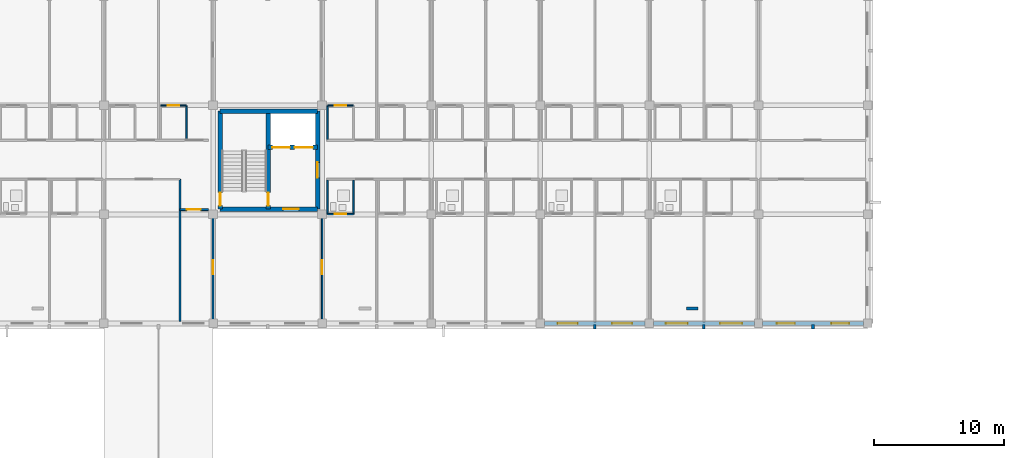
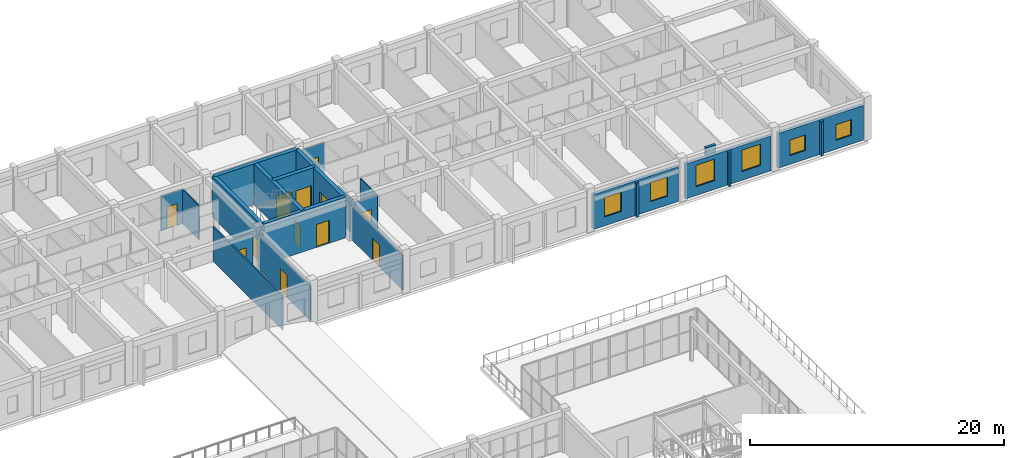
# One storey, part 73 of 90: 24 walls, 12 doors, 6 windows, 18 openings.
"""IFC4 building model written with IfcOpenShell, lengths in metres."""

from ifc_helpers import new_model, si_unit, direction, frame, frame_2d, origin, place, context, subcontext, project, spatial, rectangle, extrude, material, layer, layer_set, type_object, element, fill, save


model = new_model("IFC4")

# Units and contexts
model_context = context("Model", 3, precision=1e-05, world=origin(), true_north=direction((0.0, 1.0)))
body_context = subcontext(model_context, "Body", "Model", "MODEL_VIEW")
ifc_project = project(units=[si_unit("LENGTHUNIT", "METRE"), si_unit("AREAUNIT", "SQUARE_METRE"), si_unit("VOLUMEUNIT", "CUBIC_METRE"), si_unit("PLANEANGLEUNIT", "RADIAN"), si_unit("MASSUNIT", "GRAM", prefix="KILO")], contexts=[model_context])

# Site, building, storey
site_placement = place(None, origin())
site = spatial("IfcSite", under=ifc_project, at=site_placement, CompositionType="ELEMENT")
building_placement = place(site_placement, origin())
building = spatial("IfcBuilding", under=site, at=building_placement, Name="Trelvath General Hospital", CompositionType="ELEMENT")
storey_placement = place(building_placement, frame((0.0, 0.0, 20.39990234375)))
storey = spatial("IfcBuildingStorey", under=building, at=storey_placement, Name="L05", CompositionType="ELEMENT", Elevation=20.39990234375)

# Walls
ifc_material_1 = material(Name="Precast concrete C40/50", Category="concrete")
ifc_layer_1 = layer(ifc_material_1, 0.199951171875)
ifc_layer_set_1 = layer_set([ifc_layer_1], Name="Precast concrete C40/50")
wall_type_1 = type_object("IfcWallType", Name="BriseSoleilRib 200", PredefinedType="ELEMENTEDWALL", material=ifc_layer_set_1)
for number, where, z_axis, x_axis, name in (
    (1, (113.39990234375, 92.324951171875, 0.0), (0.0, 0.0, 1.0), (0.0, -1.0, 0.0), "Precast Concrete Brise-Soleil Rib Fin L05-401"),
    (2, (121.800048828125, 92.324951171875, 0.0), (0.0, 0.0, 1.0), (0.0, -1.0, 0.0), "Precast Concrete Brise-Soleil Rib Fin L05-403"),
    (3, (130.199951171875, 92.324951171875, 0.0), (0.0, 0.0, 1.0), (0.0, -1.0, 0.0), "Precast Concrete Brise-Soleil Rib Fin L05-405"),
):
    element("IfcWall", number, at=place(storey_placement, frame(where, z_axis=z_axis, x_axis=x_axis)), inside=storey, type_object=wall_type_1, Name=name, PredefinedType="ELEMENTEDWALL", context=body_context, shape_type="SweptSolid", body=[
        extrude(rectangle(XDim=0.33984375, YDim=0.199951171875, at=frame_2d((0.169921875, 0.0))), origin(), (0.0, 0.0, 1.0), 3.320068359375),
    ])

# Wall, opening, door
ifc_material_2 = material(Name="Gypsum acoustic steel-stud partition", Category="steel")
ifc_layer_2 = layer(ifc_material_2, 0.14990234375)
ifc_layer_set_2 = layer_set([ifc_layer_2], Name="Gypsum acoustic steel-stud partition")
wall_type_2 = type_object("IfcWallType", Name="ClinicalPartition 150", PredefinedType="PARTITIONING", material=ifc_layer_set_2)
wall_1_placement = place(storey_placement, frame((81.4599609375, 101.159912109375, 0.0), z_axis=(0.0, 0.0, 1.0), x_axis=(1.0, 0.0, 0.0)))
wall_1 = element("IfcWall", 4, at=wall_1_placement, inside=storey, type_object=wall_type_2, Name="Clean Utility Partition L05-1937", PredefinedType="PARTITIONING", context=body_context, shape_type="SweptSolid", body=[
    extrude(rectangle(XDim=2.179931640625, YDim=0.14990234375, at=frame_2d((1.08984375, 0.0))), origin(), (0.0, 0.0, 1.0), 3.320068359375),
])
opening_1_placement = place(wall_1_placement, frame((0.5, 0.0, 0.0)))
opening_1 = element("IfcOpeningElement", 5, at=opening_1_placement, cuts=wall_1, Name="Opening D-5-1259", PredefinedType="OPENING", context=body_context, shape_type="SweptSolid", body=[
    extrude(rectangle(XDim=1.080078125, YDim=2.14990234375, at=frame_2d((0.5400390625, 1.074951171875))), frame((0.0, 0.0849609375, 0.0), z_axis=(0.0, -1.0, 0.0), x_axis=(1.0, 0.0, 0.0)), (0.0, 0.0, 1.0), 0.169921875),
])
ifc_material_3 = material(Name="Acoustic hospital timber leaf", Category="wood")
door_type_1 = type_object("IfcDoorType", Name="Door CleanSupply 1080x2150", OperationType="NOTDEFINED", PredefinedType="DOOR", material=ifc_material_3)
door_1_placement = place(opening_1_placement, origin())
door_1 = element("IfcDoor", 6, at=door_1_placement, inside=storey, type_object=door_type_1, Name="Clean Utility Door L05-1259", OperationType="SINGLE_SWING_RIGHT", OverallHeight=2.14990234375, OverallWidth=1.080078125, PredefinedType="DOOR", context=body_context, shape_type="SweptSolid", body=[
    extrude(rectangle(XDim=1.080078125, YDim=2.14990234375, at=frame_2d((0.5400390625, 1.074951171875))), frame((0.0, 0.02490234375, 0.0), z_axis=(0.0, -1.0, 0.0), x_axis=(1.0, 0.0, 0.0)), (0.0, 0.0, 1.0), 0.050048828125),
])
fill(opening_1, door_1)

ifc_material_4 = material(Name="Concrete C40/50", Category="concrete")
ifc_layer_3 = layer(ifc_material_4, 0.35009765625)
ifc_layer_set_3 = layer_set([ifc_layer_3], Name="Concrete C40/50")
wall_type_3 = type_object("IfcWallType", Name="CoreShearWall 350", PredefinedType="SHEAR", material=ifc_layer_set_3)
wall_2_placement = place(storey_placement, frame((84.550048828125, 101.199951171875, 0.0), z_axis=(0.0, 0.0, 1.0), x_axis=(1.0, 0.0, 0.0)))
wall_2 = element("IfcWall", 7, at=wall_2_placement, inside=storey, type_object=wall_type_3, Name="Core Shear Wall C2 S L05", PredefinedType="SHEAR", context=body_context, shape_type="SweptSolid", body=[
    extrude(rectangle(XDim=7.5, YDim=0.35009765625, at=frame_2d((3.75, 0.0))), origin(), (0.0, 0.0, 1.0), 3.920166015625),
])
opening_2_placement = place(wall_2_placement, frame((4.85009765625, 0.0, 0.0)))
opening_2 = element("IfcOpeningElement", 8, at=opening_2_placement, cuts=wall_2, Name="Opening FD-LS25", PredefinedType="OPENING", context=body_context, shape_type="SweptSolid", body=[
    extrude(rectangle(XDim=1.199951171875, YDim=2.199951171875, at=frame_2d((0.60009765625, 1.10009765625))), frame((0.0, 0.18505859375, 0.0), z_axis=(0.0, -1.0, 0.0), x_axis=(1.0, 0.0, 0.0)), (0.0, 0.0, 1.0), 0.3701171875),
])
ifc_material_5 = material(Name="Fire-rated steel door", Category="steel")
door_type_2 = type_object("IfcDoorType", Name="Door FireLobby 1200x2200", OperationType="NOTDEFINED", PredefinedType="DOOR", material=ifc_material_5)
door_2_placement = place(opening_2_placement, origin())
door_2 = element("IfcDoor", 9, at=door_2_placement, inside=storey, type_object=door_type_2, Name="Fire Lobby South Door C2 L05", OperationType="SINGLE_SWING_RIGHT", OverallHeight=2.199951171875, OverallWidth=1.199951171875, PredefinedType="DOOR", context=body_context, shape_type="SweptSolid", body=[
    extrude(rectangle(XDim=1.199951171875, YDim=2.199951171875, at=frame_2d((0.60009765625, 1.10009765625))), frame((0.0, 0.02490234375, 0.0), z_axis=(0.0, -1.0, 0.0), x_axis=(1.0, 0.0, 0.0)), (0.0, 0.0, 1.0), 0.050048828125),
])
fill(opening_2, door_2)

# Wall
wall_3_placement = place(storey_placement, frame((84.550048828125, 108.75, 0.0), z_axis=(0.0, 0.0, 1.0), x_axis=(1.0, 0.0, 0.0)))
element("IfcWall", 10, at=wall_3_placement, inside=storey, type_object=wall_type_3, Name="Core Shear Wall C2 N L05", PredefinedType="SHEAR", context=body_context, shape_type="SweptSolid", body=[
    extrude(rectangle(XDim=7.5, YDim=0.35009765625, at=frame_2d((3.75, 0.0))), origin(), (0.0, 0.0, 1.0), 3.920166015625),
])

# Wall, opening, door
wall_4_placement = place(storey_placement, frame((84.550048828125, 101.199951171875, 0.0), z_axis=(0.0, 0.0, 1.0), x_axis=(0.0, 1.0, 0.0)))
wall_4 = element("IfcWall", 11, at=wall_4_placement, inside=storey, type_object=wall_type_3, Name="Core Shear Wall C2 W L05", PredefinedType="SHEAR", context=body_context, shape_type="SweptSolid", body=[
    extrude(rectangle(XDim=7.550048828125, YDim=0.35009765625, at=frame_2d((3.77490234375, 0.0))), origin(), (0.0, 0.0, 1.0), 3.920166015625),
])
opening_3_placement = place(wall_4_placement, frame((0.280029296875, 0.0, 0.0)))
opening_3 = element("IfcOpeningElement", 12, at=opening_3_placement, cuts=wall_4, Name="Opening FD-SW25", PredefinedType="OPENING", context=body_context, shape_type="SweptSolid", body=[
    extrude(rectangle(XDim=1.0, YDim=2.14990234375, at=frame_2d((0.5, 1.074951171875))), frame((0.0, 0.18505859375, 0.0), z_axis=(0.0, -1.0, 0.0), x_axis=(1.0, 0.0, 0.0)), (0.0, 0.0, 1.0), 0.3701171875),
])
ifc_material_6 = material(Name="Fire-rated steel door", Category="steel")
door_type_3 = type_object("IfcDoorType", Name="Door FireStair 1100x2150", OperationType="NOTDEFINED", PredefinedType="DOOR", material=ifc_material_6)
door_3_placement = place(opening_3_placement, origin())
door_3 = element("IfcDoor", 13, at=door_3_placement, inside=storey, type_object=door_type_3, Name="West Corridor Stair Door ST2 L05", OperationType="SINGLE_SWING_LEFT", OverallHeight=2.14990234375, OverallWidth=1.0, PredefinedType="DOOR", context=body_context, shape_type="SweptSolid", body=[
    extrude(rectangle(XDim=1.0, YDim=2.14990234375, at=frame_2d((0.5, 1.074951171875))), frame((0.0, 0.02490234375, 0.0), z_axis=(0.0, -1.0, 0.0), x_axis=(1.0, 0.0, 0.0)), (0.0, 0.0, 1.0), 0.050048828125),
])
fill(opening_3, door_3)

wall_5_placement = place(storey_placement, frame((92.050048828125, 101.199951171875, 0.0), z_axis=(0.0, 0.0, 1.0), x_axis=(0.0, 1.0, 0.0)))
wall_5 = element("IfcWall", 14, at=wall_5_placement, inside=storey, type_object=wall_type_3, Name="Core Shear Wall C2 E L05", PredefinedType="SHEAR", context=body_context, shape_type="SweptSolid", body=[
    extrude(rectangle(XDim=7.550048828125, YDim=0.35009765625, at=frame_2d((3.77490234375, 0.0))), origin(), (0.0, 0.0, 1.0), 3.920166015625),
])
opening_4_placement = place(wall_5_placement, frame((2.39990234375, 0.0, 0.0)))
opening_4 = element("IfcOpeningElement", 15, at=opening_4_placement, cuts=wall_5, Name="Opening FD-LE25", PredefinedType="OPENING", context=body_context, shape_type="SweptSolid", body=[
    extrude(rectangle(XDim=1.199951171875, YDim=2.199951171875, at=frame_2d((0.60009765625, 1.10009765625))), frame((0.0, 0.18505859375, 0.0), z_axis=(0.0, -1.0, 0.0), x_axis=(1.0, 0.0, 0.0)), (0.0, 0.0, 1.0), 0.3701171875),
])
door_4_placement = place(opening_4_placement, origin())
door_4 = element("IfcDoor", 16, at=door_4_placement, inside=storey, type_object=door_type_2, Name="Fire Lobby East Corridor Door C2 L05", OperationType="SINGLE_SWING_LEFT", OverallHeight=2.199951171875, OverallWidth=1.199951171875, PredefinedType="DOOR", context=body_context, shape_type="SweptSolid", body=[
    extrude(rectangle(XDim=1.199951171875, YDim=2.199951171875, at=frame_2d((0.60009765625, 1.10009765625))), frame((0.0, 0.02490234375, 0.0), z_axis=(0.0, -1.0, 0.0), x_axis=(1.0, 0.0, 0.0)), (0.0, 0.0, 1.0), 0.050048828125),
])
fill(opening_4, door_4)

wall_6_placement = place(storey_placement, frame((88.25, 101.199951171875, 0.0), z_axis=(0.0, 0.0, 1.0), x_axis=(0.0, 1.0, 0.0)))
wall_6 = element("IfcWall", 17, at=wall_6_placement, inside=storey, type_object=wall_type_3, Name="Core Shear Wall C2 SPINE L05", PredefinedType="SHEAR", context=body_context, shape_type="SweptSolid", body=[
    extrude(rectangle(XDim=7.550048828125, YDim=0.35009765625, at=frame_2d((3.77490234375, 0.0))), origin(), (0.0, 0.0, 1.0), 3.920166015625),
])
opening_5_placement = place(wall_6_placement, frame((0.280029296875, 0.0, 0.0)))
opening_5 = element("IfcOpeningElement", 18, at=opening_5_placement, cuts=wall_6, Name="Opening FD-S25", PredefinedType="OPENING", context=body_context, shape_type="SweptSolid", body=[
    extrude(rectangle(XDim=1.0, YDim=2.14990234375, at=frame_2d((0.5, 1.074951171875))), frame((0.0, 0.18505859375, 0.0), z_axis=(0.0, -1.0, 0.0), x_axis=(1.0, 0.0, 0.0)), (0.0, 0.0, 1.0), 0.3701171875),
])
door_5_placement = place(opening_5_placement, origin())
door_5 = element("IfcDoor", 19, at=door_5_placement, inside=storey, type_object=door_type_3, Name="Exit Stair Door ST2 L05", OperationType="SINGLE_SWING_RIGHT", OverallHeight=2.14990234375, OverallWidth=1.0, PredefinedType="DOOR", context=body_context, shape_type="SweptSolid", body=[
    extrude(rectangle(XDim=1.0, YDim=2.14990234375, at=frame_2d((0.5, 1.074951171875))), frame((0.0, 0.02490234375, 0.0), z_axis=(0.0, -1.0, 0.0), x_axis=(1.0, 0.0, 0.0)), (0.0, 0.0, 1.0), 0.050048828125),
])
fill(opening_5, door_5)

# Wall, openings, doors
wall_7_placement = place(storey_placement, frame((88.25, 105.949951171875, 0.0), z_axis=(0.0, 0.0, 1.0), x_axis=(1.0, 0.0, 0.0)))
wall_7 = element("IfcWall", 20, at=wall_7_placement, inside=storey, type_object=wall_type_3, Name="Core Shear Wall C2 SHAFT L05", PredefinedType="SHEAR", context=body_context, shape_type="SweptSolid", body=[
    extrude(rectangle(XDim=3.800048828125, YDim=0.35009765625, at=frame_2d((1.89990234375, 0.0))), origin(), (0.0, 0.0, 1.0), 3.920166015625),
])
opening_6_placement = place(wall_7_placement, frame((0.320068359375, 0.0, 0.0)))
opening_6 = element("IfcOpeningElement", 21, at=opening_6_placement, cuts=wall_7, Name="Opening LD-FF2-5", PredefinedType="OPENING", context=body_context, shape_type="SweptSolid", body=[
    extrude(rectangle(XDim=1.35009765625, YDim=2.25, at=frame_2d((0.675048828125, 1.125))), frame((0.0, 0.18505859375, 0.0), z_axis=(0.0, -1.0, 0.0), x_axis=(1.0, 0.0, 0.0)), (0.0, 0.0, 1.0), 0.3701171875),
])
opening_7_placement = place(wall_7_placement, frame((2.0400390625, 0.0, 0.0)))
opening_7 = element("IfcOpeningElement", 22, at=opening_7_placement, cuts=wall_7, Name="Opening LD-BD2-5", PredefinedType="OPENING", context=body_context, shape_type="SweptSolid", body=[
    extrude(rectangle(XDim=1.39990234375, YDim=2.25, at=frame_2d((0.699951171875, 1.125))), frame((0.0, 0.18505859375, 0.0), z_axis=(0.0, -1.0, 0.0), x_axis=(1.0, 0.0, 0.0)), (0.0, 0.0, 1.0), 0.3701171875),
])
ifc_material_7 = material(Name="Stainless steel stretcher lift landing door", Category="steel")
door_type_4 = type_object("IfcDoorType", Name="Door LiftBed 1400x2250", OperationType="SLIDING_TO_LEFT", PredefinedType="DOOR", material=ifc_material_7)
door_6_placement = place(opening_7_placement, origin())
door_6 = element("IfcDoor", 23, at=door_6_placement, inside=storey, type_object=door_type_4, Name="Lift Landing Sliding Door LF-BD2 L05", OperationType="SLIDING_TO_LEFT", OverallHeight=2.25, OverallWidth=1.39990234375, PredefinedType="DOOR", context=body_context, shape_type="SweptSolid", body=[
    extrude(rectangle(XDim=1.39990234375, YDim=2.25, at=frame_2d((0.699951171875, 1.125))), frame((0.0, 0.02490234375, 0.0), z_axis=(0.0, -1.0, 0.0), x_axis=(1.0, 0.0, 0.0)), (0.0, 0.0, 1.0), 0.050048828125),
])
fill(opening_7, door_6)
ifc_material_8 = material(Name="Fire-rated stainless lift landing door")
door_type_5 = type_object("IfcDoorType", Name="Door LiftFire 1350x2250", OperationType="SLIDING_TO_LEFT", PredefinedType="DOOR", material=ifc_material_8)
door_7_placement = place(opening_6_placement, origin())
door_7 = element("IfcDoor", 24, at=door_7_placement, inside=storey, type_object=door_type_5, Name="Lift Landing Sliding Door LF-FF2 L05", OperationType="SLIDING_TO_LEFT", OverallHeight=2.25, OverallWidth=1.35009765625, PredefinedType="DOOR", context=body_context, shape_type="SweptSolid", body=[
    extrude(rectangle(XDim=1.35009765625, YDim=2.25, at=frame_2d((0.675048828125, 1.125))), frame((0.0, 0.02490234375, 0.0), z_axis=(0.0, -1.0, 0.0), x_axis=(1.0, 0.0, 0.0)), (0.0, 0.0, 1.0), 0.050048828125),
])
fill(opening_6, door_7)

# Wall
ifc_material_9 = material(Name="Moisture-resistant tile partition")
ifc_layer_4 = layer(ifc_material_9, 0.110107421875)
ifc_layer_set_4 = layer_set([ifc_layer_4], Name="Moisture-resistant tile partition")
wall_type_4 = type_object("IfcWallType", Name="EnSuiteWetWall 110", PredefinedType="PARTITIONING", material=ifc_layer_set_4)
wall_8_placement = place(storey_placement, frame((81.93994140625, 106.570068359375, 0.0), z_axis=(0.0, 0.0, 1.0), x_axis=(0.0, 1.0, 0.0)))
element("IfcWall", 25, at=wall_8_placement, inside=storey, type_object=wall_type_4, Name="En-Suite E Wall N L05-1944", PredefinedType="PARTITIONING", context=body_context, shape_type="SweptSolid", body=[
    extrude(rectangle(XDim=2.60986328125, YDim=0.110107421875, at=frame_2d((1.304931640625, 0.0))), origin(), (0.0, 0.0, 1.0), 3.320068359375),
])

# Wall, opening, door
wall_9_placement = place(storey_placement, frame((79.9599609375, 109.179931640625, 0.0), z_axis=(0.0, 0.0, 1.0), x_axis=(1.0, 0.0, 0.0)))
wall_9 = element("IfcWall", 26, at=wall_9_placement, inside=storey, type_object=wall_type_4, Name="En-Suite Bathroom N Partition L05-1945", PredefinedType="PARTITIONING", context=body_context, shape_type="SweptSolid", body=[
    extrude(rectangle(XDim=1.97998046875, YDim=0.110107421875, at=frame_2d((0.989990234375, 0.0))), origin(), (0.0, 0.0, 1.0), 3.320068359375),
])
opening_8_placement = place(wall_9_placement, frame((0.5400390625, 0.0, 0.0)))
opening_8 = element("IfcOpeningElement", 27, at=opening_8_placement, cuts=wall_9, Name="Opening D-5-1263", PredefinedType="OPENING", context=body_context, shape_type="SweptSolid", body=[
    extrude(rectangle(XDim=0.89990234375, YDim=2.10009765625, at=frame_2d((0.449951171875, 1.050048828125))), frame((0.0, 0.06494140625, 0.0), z_axis=(0.0, -1.0, 0.0), x_axis=(1.0, 0.0, 0.0)), (0.0, 0.0, 1.0), 0.130126953125),
])
ifc_material_10 = material(Name="Moisture-sealed timber leaf", Category="wood")
door_type_6 = type_object("IfcDoorType", Name="Door EnSuite 900x2100", OperationType="NOTDEFINED", PredefinedType="DOOR", material=ifc_material_10)
door_8_placement = place(opening_8_placement, origin())
door_8 = element("IfcDoor", 28, at=door_8_placement, inside=storey, type_object=door_type_6, Name="En-Suite Bathroom N Door L05-1263", OperationType="SINGLE_SWING_LEFT", OverallHeight=2.10009765625, OverallWidth=0.89990234375, PredefinedType="DOOR", context=body_context, shape_type="SweptSolid", body=[
    extrude(rectangle(XDim=0.89990234375, YDim=2.10009765625, at=frame_2d((0.449951171875, 1.050048828125))), frame((0.0, 0.02490234375, 0.0), z_axis=(0.0, -1.0, 0.0), x_axis=(1.0, 0.0, 0.0)), (0.0, 0.0, 1.0), 0.050048828125),
])
fill(opening_8, door_8)

# Walls
for number, where, z_axis, x_axis, name in (
    (29, (92.820068359375, 100.820068359375, 0.0), (0.0, 0.0, 1.0), (0.0, 1.0, 0.0), "En-Suite W Wall L05-1952"),
    (30, (94.800048828125, 100.820068359375, 0.0), (0.0, 0.0, 1.0), (0.0, 1.0, 0.0), "En-Suite E Wall L05-1953"),
):
    element("IfcWall", number, at=place(storey_placement, frame(where, z_axis=z_axis, x_axis=x_axis)), inside=storey, type_object=wall_type_4, Name=name, PredefinedType="PARTITIONING", context=body_context, shape_type="SweptSolid", body=[
        extrude(rectangle(XDim=2.60986328125, YDim=0.110107421875, at=frame_2d((1.304931640625, 0.0))), origin(), (0.0, 0.0, 1.0), 3.320068359375),
    ])

# Wall, opening, door
wall_10_placement = place(storey_placement, frame((92.820068359375, 100.820068359375, 0.0), z_axis=(0.0, 0.0, 1.0), x_axis=(1.0, 0.0, 0.0)))
wall_10 = element("IfcWall", 31, at=wall_10_placement, inside=storey, type_object=wall_type_4, Name="En-Suite Bathroom Partition L05-1954", PredefinedType="PARTITIONING", context=body_context, shape_type="SweptSolid", body=[
    extrude(rectangle(XDim=1.97998046875, YDim=0.110107421875, at=frame_2d((0.989990234375, 0.0))), origin(), (0.0, 0.0, 1.0), 3.320068359375),
])
opening_9_placement = place(wall_10_placement, frame((0.5400390625, 0.0, 0.0)))
opening_9 = element("IfcOpeningElement", 32, at=opening_9_placement, cuts=wall_10, Name="Opening D-5-1270", PredefinedType="OPENING", context=body_context, shape_type="SweptSolid", body=[
    extrude(rectangle(XDim=0.89990234375, YDim=2.10009765625, at=frame_2d((0.449951171875, 1.050048828125))), frame((0.0, 0.06494140625, 0.0), z_axis=(0.0, -1.0, 0.0), x_axis=(1.0, 0.0, 0.0)), (0.0, 0.0, 1.0), 0.130126953125),
])
door_9_placement = place(opening_9_placement, origin())
door_9 = element("IfcDoor", 33, at=door_9_placement, inside=storey, type_object=door_type_6, Name="En-Suite Bathroom Door L05-1270", OperationType="SINGLE_SWING_RIGHT", OverallHeight=2.10009765625, OverallWidth=0.89990234375, PredefinedType="DOOR", context=body_context, shape_type="SweptSolid", body=[
    extrude(rectangle(XDim=0.89990234375, YDim=2.10009765625, at=frame_2d((0.449951171875, 1.050048828125))), frame((0.0, 0.02490234375, 0.0), z_axis=(0.0, -1.0, 0.0), x_axis=(1.0, 0.0, 0.0)), (0.0, 0.0, 1.0), 0.050048828125),
])
fill(opening_9, door_9)

# Wall
wall_11_placement = place(storey_placement, frame((92.820068359375, 106.570068359375, 0.0), z_axis=(0.0, 0.0, 1.0), x_axis=(0.0, 1.0, 0.0)))
element("IfcWall", 34, at=wall_11_placement, inside=storey, type_object=wall_type_4, Name="En-Suite W Wall N L05-1961", PredefinedType="PARTITIONING", context=body_context, shape_type="SweptSolid", body=[
    extrude(rectangle(XDim=2.60986328125, YDim=0.110107421875, at=frame_2d((1.304931640625, 0.0))), origin(), (0.0, 0.0, 1.0), 3.320068359375),
])

# Wall, opening, door
wall_12_placement = place(storey_placement, frame((92.820068359375, 109.179931640625, 0.0), z_axis=(0.0, 0.0, 1.0), x_axis=(1.0, 0.0, 0.0)))
wall_12 = element("IfcWall", 35, at=wall_12_placement, inside=storey, type_object=wall_type_4, Name="En-Suite Bathroom N Partition L05-1963", PredefinedType="PARTITIONING", context=body_context, shape_type="SweptSolid", body=[
    extrude(rectangle(XDim=1.97998046875, YDim=0.110107421875, at=frame_2d((0.989990234375, 0.0))), origin(), (0.0, 0.0, 1.0), 3.320068359375),
])
opening_10_placement = place(wall_12_placement, frame((0.5400390625, 0.0, 0.0)))
opening_10 = element("IfcOpeningElement", 36, at=opening_10_placement, cuts=wall_12, Name="Opening D-5-1274", PredefinedType="OPENING", context=body_context, shape_type="SweptSolid", body=[
    extrude(rectangle(XDim=0.89990234375, YDim=2.10009765625, at=frame_2d((0.449951171875, 1.050048828125))), frame((0.0, 0.06494140625, 0.0), z_axis=(0.0, -1.0, 0.0), x_axis=(1.0, 0.0, 0.0)), (0.0, 0.0, 1.0), 0.130126953125),
])
door_10_placement = place(opening_10_placement, origin())
door_10 = element("IfcDoor", 37, at=door_10_placement, inside=storey, type_object=door_type_6, Name="En-Suite Bathroom N Door L05-1274", OperationType="SINGLE_SWING_LEFT", OverallHeight=2.10009765625, OverallWidth=0.89990234375, PredefinedType="DOOR", context=body_context, shape_type="SweptSolid", body=[
    extrude(rectangle(XDim=0.89990234375, YDim=2.10009765625, at=frame_2d((0.449951171875, 1.050048828125))), frame((0.0, 0.02490234375, 0.0), z_axis=(0.0, -1.0, 0.0), x_axis=(1.0, 0.0, 0.0)), (0.0, 0.0, 1.0), 0.050048828125),
])
fill(opening_10, door_10)

# Wall, openings, windows
ifc_material_11 = material(Name="Concrete C35/45", Category="concrete")
ifc_layer_5 = layer(ifc_material_11, 0.2900390625)
ifc_layer_set_5 = layer_set([ifc_layer_5], Name="Concrete C35/45")
wall_type_5 = type_object("IfcWallType", Name="ExtBushHammeredWall 290", PredefinedType="SOLIDWALL", material=ifc_layer_set_5)
wall_13_placement = place(storey_placement, frame((117.280029296875, 92.39990234375, 0.0), z_axis=(0.0, 0.0, 1.0), x_axis=(-1.0, 0.0, 0.0)))
wall_13 = element("IfcWall", 38, at=wall_13_placement, inside=storey, type_object=wall_type_5, Name="Exterior Concrete Wall L05-541", PredefinedType="SOLIDWALL", context=body_context, shape_type="SweptSolid", body=[
    extrude(rectangle(XDim=7.760009765625, YDim=0.2900390625, at=frame_2d((3.8798828125, 0.0))), origin(), (0.0, 0.0, 1.0), 3.340087890625),
])
opening_11_placement = place(wall_13_placement, frame((1.014892578125, 0.0, 0.85009765625)))
opening_11 = element("IfcOpeningElement", 39, at=opening_11_placement, cuts=wall_13, Name="Opening WN-5-899", PredefinedType="OPENING", context=body_context, shape_type="SweptSolid", body=[
    extrude(rectangle(XDim=1.5400390625, YDim=1.85009765625, at=frame_2d((0.77001953125, 0.925048828125))), frame((0.0, 0.155029296875, 0.0), z_axis=(0.0, -1.0, 0.0), x_axis=(1.0, 0.0, 0.0)), (0.0, 0.0, 1.0), 0.31005859375),
])
opening_12_placement = place(wall_13_placement, frame((5.205078125, 0.0, 0.85009765625)))
opening_12 = element("IfcOpeningElement", 40, at=opening_12_placement, cuts=wall_13, Name="Opening WN-5-900", PredefinedType="OPENING", context=body_context, shape_type="SweptSolid", body=[
    extrude(rectangle(XDim=1.5400390625, YDim=1.85009765625, at=frame_2d((0.77001953125, 0.925048828125))), frame((0.0, 0.155029296875, 0.0), z_axis=(0.0, -1.0, 0.0), x_axis=(1.0, 0.0, 0.0)), (0.0, 0.0, 1.0), 0.31005859375),
])
ifc_material_12 = material(Name="Low-E laminated glass", Category="glass")
window_type_1 = type_object("IfcWindowType", Name="Window Waiting 1540x1850", PartitioningType="DOUBLE_PANEL_VERTICAL", PredefinedType="WINDOW", material=ifc_material_12)
window_1_placement = place(opening_11_placement, origin())
window_1 = element("IfcWindow", 41, at=window_1_placement, inside=storey, type_object=window_type_1, Name="Solar Reveal Window L05-899", OverallHeight=1.85009765625, OverallWidth=1.5400390625, PartitioningType="SINGLE_PANEL", PredefinedType="WINDOW", context=body_context, shape_type="SweptSolid", body=[
    extrude(rectangle(XDim=1.5400390625, YDim=1.85009765625, at=frame_2d((0.77001953125, 0.925048828125))), frame((0.0, 0.030029296875, 0.0), z_axis=(0.0, -1.0, 0.0), x_axis=(1.0, 0.0, 0.0)), (0.0, 0.0, 1.0), 0.06005859375),
])
fill(opening_11, window_1)
window_2_placement = place(opening_12_placement, origin())
window_2 = element("IfcWindow", 42, at=window_2_placement, inside=storey, type_object=window_type_1, Name="Solar Reveal Window L05-900", OverallHeight=1.85009765625, OverallWidth=1.5400390625, PartitioningType="SINGLE_PANEL", PredefinedType="WINDOW", context=body_context, shape_type="SweptSolid", body=[
    extrude(rectangle(XDim=1.5400390625, YDim=1.85009765625, at=frame_2d((0.77001953125, 0.925048828125))), frame((0.0, 0.030029296875, 0.0), z_axis=(0.0, -1.0, 0.0), x_axis=(1.0, 0.0, 0.0)), (0.0, 0.0, 1.0), 0.06005859375),
])
fill(opening_12, window_2)

wall_14_placement = place(storey_placement, frame((125.679931640625, 92.39990234375, 0.0), z_axis=(0.0, 0.0, 1.0), x_axis=(-1.0, 0.0, 0.0)))
wall_14 = element("IfcWall", 43, at=wall_14_placement, inside=storey, type_object=wall_type_5, Name="Exterior Concrete Wall L05-543", PredefinedType="SOLIDWALL", context=body_context, shape_type="SweptSolid", body=[
    extrude(rectangle(XDim=7.760009765625, YDim=0.2900390625, at=frame_2d((3.8798828125, 0.0))), origin(), (0.0, 0.0, 1.0), 3.340087890625),
])
opening_13_placement = place(wall_14_placement, frame((0.94482421875, 0.0, 0.85009765625)))
opening_13 = element("IfcOpeningElement", 44, at=opening_13_placement, cuts=wall_14, Name="Opening WN-5-903", PredefinedType="OPENING", context=body_context, shape_type="SweptSolid", body=[
    extrude(rectangle(XDim=1.679931640625, YDim=2.050048828125, at=frame_2d((0.83984375, 1.02490234375))), frame((0.0, 0.155029296875, 0.0), z_axis=(0.0, -1.0, 0.0), x_axis=(1.0, 0.0, 0.0)), (0.0, 0.0, 1.0), 0.31005859375),
])
opening_14_placement = place(wall_14_placement, frame((5.13525390625, 0.0, 0.85009765625)))
opening_14 = element("IfcOpeningElement", 45, at=opening_14_placement, cuts=wall_14, Name="Opening WN-5-904", PredefinedType="OPENING", context=body_context, shape_type="SweptSolid", body=[
    extrude(rectangle(XDim=1.679931640625, YDim=2.050048828125, at=frame_2d((0.83984375, 1.02490234375))), frame((0.0, 0.155029296875, 0.0), z_axis=(0.0, -1.0, 0.0), x_axis=(1.0, 0.0, 0.0)), (0.0, 0.0, 1.0), 0.31005859375),
])
ifc_material_13 = material(Name="Low-E laminated glass", Category="glass")
window_type_2 = type_object("IfcWindowType", Name="Window Cafe 1680x2050", PartitioningType="DOUBLE_PANEL_VERTICAL", PredefinedType="WINDOW", material=ifc_material_13)
window_3_placement = place(opening_13_placement, origin())
window_3 = element("IfcWindow", 46, at=window_3_placement, inside=storey, type_object=window_type_2, Name="Solar Reveal Window L05-903", OverallHeight=2.050048828125, OverallWidth=1.679931640625, PartitioningType="SINGLE_PANEL", PredefinedType="WINDOW", context=body_context, shape_type="SweptSolid", body=[
    extrude(rectangle(XDim=1.679931640625, YDim=2.050048828125, at=frame_2d((0.83984375, 1.02490234375))), frame((0.0, 0.030029296875, 0.0), z_axis=(0.0, -1.0, 0.0), x_axis=(1.0, 0.0, 0.0)), (0.0, 0.0, 1.0), 0.06005859375),
])
fill(opening_13, window_3)
window_4_placement = place(opening_14_placement, origin())
window_4 = element("IfcWindow", 47, at=window_4_placement, inside=storey, type_object=window_type_2, Name="Solar Reveal Window L05-904", OverallHeight=2.050048828125, OverallWidth=1.679931640625, PartitioningType="SINGLE_PANEL", PredefinedType="WINDOW", context=body_context, shape_type="SweptSolid", body=[
    extrude(rectangle(XDim=1.679931640625, YDim=2.050048828125, at=frame_2d((0.83984375, 1.02490234375))), frame((0.0, 0.030029296875, 0.0), z_axis=(0.0, -1.0, 0.0), x_axis=(1.0, 0.0, 0.0)), (0.0, 0.0, 1.0), 0.06005859375),
])
fill(opening_14, window_4)

wall_15_placement = place(storey_placement, frame((134.080078125, 92.39990234375, 0.0), z_axis=(0.0, 0.0, 1.0), x_axis=(-1.0, 0.0, 0.0)))
wall_15 = element("IfcWall", 48, at=wall_15_placement, inside=storey, type_object=wall_type_5, Name="Exterior Concrete Wall L05-545", PredefinedType="SOLIDWALL", context=body_context, shape_type="SweptSolid", body=[
    extrude(rectangle(XDim=7.760009765625, YDim=0.2900390625, at=frame_2d((3.8798828125, 0.0))), origin(), (0.0, 0.0, 1.0), 3.340087890625),
])
opening_15_placement = place(wall_15_placement, frame((1.0947265625, 0.0, 0.85009765625)))
opening_15 = element("IfcOpeningElement", 49, at=opening_15_placement, cuts=wall_15, Name="Opening WN-5-907", PredefinedType="OPENING", context=body_context, shape_type="SweptSolid", body=[
    extrude(rectangle(XDim=1.3798828125, YDim=1.5, at=frame_2d((0.68994140625, 0.75))), frame((0.0, 0.155029296875, 0.0), z_axis=(0.0, -1.0, 0.0), x_axis=(1.0, 0.0, 0.0)), (0.0, 0.0, 1.0), 0.31005859375),
])
opening_16_placement = place(wall_15_placement, frame((5.28515625, 0.0, 0.85009765625)))
opening_16 = element("IfcOpeningElement", 50, at=opening_16_placement, cuts=wall_15, Name="Opening WN-5-908", PredefinedType="OPENING", context=body_context, shape_type="SweptSolid", body=[
    extrude(rectangle(XDim=1.3798828125, YDim=1.5, at=frame_2d((0.68994140625, 0.75))), frame((0.0, 0.155029296875, 0.0), z_axis=(0.0, -1.0, 0.0), x_axis=(1.0, 0.0, 0.0)), (0.0, 0.0, 1.0), 0.31005859375),
])
ifc_material_14 = material(Name="Low-E laminated glass", Category="glass")
window_type_3 = type_object("IfcWindowType", Name="Window Admin 1380x1500", PartitioningType="SINGLE_PANEL", PredefinedType="WINDOW", material=ifc_material_14)
window_5_placement = place(opening_15_placement, origin())
window_5 = element("IfcWindow", 51, at=window_5_placement, inside=storey, type_object=window_type_3, Name="Solar Reveal Window L05-907", OverallHeight=1.5, OverallWidth=1.3798828125, PartitioningType="SINGLE_PANEL", PredefinedType="WINDOW", context=body_context, shape_type="SweptSolid", body=[
    extrude(rectangle(XDim=1.3798828125, YDim=1.5, at=frame_2d((0.68994140625, 0.75))), frame((0.0, 0.030029296875, 0.0), z_axis=(0.0, -1.0, 0.0), x_axis=(1.0, 0.0, 0.0)), (0.0, 0.0, 1.0), 0.06005859375),
])
fill(opening_15, window_5)
window_6_placement = place(opening_16_placement, origin())
window_6 = element("IfcWindow", 52, at=window_6_placement, inside=storey, type_object=window_type_3, Name="Solar Reveal Window L05-908", OverallHeight=1.5, OverallWidth=1.3798828125, PartitioningType="SINGLE_PANEL", PredefinedType="WINDOW", context=body_context, shape_type="SweptSolid", body=[
    extrude(rectangle(XDim=1.3798828125, YDim=1.5, at=frame_2d((0.68994140625, 0.75))), frame((0.0, 0.030029296875, 0.0), z_axis=(0.0, -1.0, 0.0), x_axis=(1.0, 0.0, 0.0)), (0.0, 0.0, 1.0), 0.06005859375),
])
fill(opening_16, window_6)

# Walls
ifc_material_15 = material(Name="Masonry service chase blockwork", Category="masonry")
ifc_layer_6 = layer(ifc_material_15, 0.239990234375)
ifc_layer_set_6 = layer_set([ifc_layer_6], Name="Masonry service chase blockwork")
wall_type_6 = type_object("IfcWallType", Name="PlumbingChaseWall 240", PredefinedType="PLUMBINGWALL", material=ifc_layer_set_6)
wall_16_placement = place(storey_placement, frame((120.449951171875, 93.550048828125, 0.0), z_axis=(0.0, 0.0, 1.0), x_axis=(1.0, 0.0, 0.0)))
element("IfcWall", 53, at=wall_16_placement, inside=storey, type_object=wall_type_6, Name="Medical Gas Plumbing Chase L05-2014", PredefinedType="PLUMBINGWALL", context=body_context, shape_type="SweptSolid", body=[
    extrude(rectangle(XDim=0.900146484375, YDim=0.239990234375, at=frame_2d((0.4501953125, 0.0))), origin(), (0.0, 0.0, 1.0), 3.320068359375),
])
ifc_material_16 = material(Name="Gypsum acoustic steel-stud partition", Category="steel")
ifc_layer_7 = layer(ifc_material_16, 0.1298828125)
ifc_layer_set_7 = layer_set([ifc_layer_7], Name="Gypsum acoustic steel-stud partition")
wall_type_7 = type_object("IfcWallType", Name="WardPartition 130", PredefinedType="PARTITIONING", material=ifc_layer_set_7)
wall_17_placement = place(storey_placement, frame((81.4599609375, 92.56005859375, 0.0), z_axis=(0.0, 0.0, 1.0), x_axis=(0.0, 1.0, 0.0)))
element("IfcWall", 54, at=wall_17_placement, inside=storey, type_object=wall_type_7, Name="Nurse Alcove Partition L05-1936", PredefinedType="PARTITIONING", context=body_context, shape_type="SweptSolid", body=[
    extrude(rectangle(XDim=10.93994140625, YDim=0.1298828125, at=frame_2d((5.469970703125, 0.0))), origin(), (0.0, 0.0, 1.0), 3.320068359375),
])

# Wall, opening, door
wall_18_placement = place(storey_placement, frame((84.0, 92.5400390625, 0.0), z_axis=(0.0, 0.0, 1.0), x_axis=(0.0, 1.0, 0.0)))
wall_18 = element("IfcWall", 55, at=wall_18_placement, inside=storey, type_object=wall_type_7, Name="Inter-Bay Ward Partition S L05-1946", PredefinedType="PARTITIONING", context=body_context, shape_type="SweptSolid", body=[
    extrude(rectangle(XDim=8.2099609375, YDim=0.1298828125, at=frame_2d((4.10498046875, 0.0))), origin(), (0.0, 0.0, 1.0), 3.320068359375),
])
opening_17_placement = place(wall_18_placement, frame((3.639892578125, 0.0, 0.0)))
opening_17 = element("IfcOpeningElement", 56, at=opening_17_placement, cuts=wall_18, Name="Opening D-5-1264", PredefinedType="OPENING", context=body_context, shape_type="SweptSolid", body=[
    extrude(rectangle(XDim=1.080078125, YDim=2.14990234375, at=frame_2d((0.5400390625, 1.074951171875))), frame((0.0, 0.074951171875, 0.0), z_axis=(0.0, -1.0, 0.0), x_axis=(1.0, 0.0, 0.0)), (0.0, 0.0, 1.0), 0.14990234375),
])
door_11_placement = place(opening_17_placement, origin())
door_11 = element("IfcDoor", 57, at=door_11_placement, inside=storey, type_object=door_type_1, Name="Clean Supply Connecting Door L05-1264", OperationType="SINGLE_SWING_RIGHT", OverallHeight=2.14990234375, OverallWidth=1.080078125, PredefinedType="DOOR", context=body_context, shape_type="SweptSolid", body=[
    extrude(rectangle(XDim=1.080078125, YDim=2.14990234375, at=frame_2d((0.5400390625, 1.074951171875))), frame((0.0, 0.02490234375, 0.0), z_axis=(0.0, -1.0, 0.0), x_axis=(1.0, 0.0, 0.0)), (0.0, 0.0, 1.0), 0.050048828125),
])
fill(opening_17, door_11)

wall_19_placement = place(storey_placement, frame((92.39990234375, 92.5400390625, 0.0), z_axis=(0.0, 0.0, 1.0), x_axis=(0.0, 1.0, 0.0)))
wall_19 = element("IfcWall", 58, at=wall_19_placement, inside=storey, type_object=wall_type_7, Name="Inter-Bay Ward Partition S L05-1948", PredefinedType="PARTITIONING", context=body_context, shape_type="SweptSolid", body=[
    extrude(rectangle(XDim=8.2099609375, YDim=0.1298828125, at=frame_2d((4.10498046875, 0.0))), origin(), (0.0, 0.0, 1.0), 3.320068359375),
])
opening_18_placement = place(wall_19_placement, frame((3.639892578125, 0.0, 0.0)))
opening_18 = element("IfcOpeningElement", 59, at=opening_18_placement, cuts=wall_19, Name="Opening D-5-1266", PredefinedType="OPENING", context=body_context, shape_type="SweptSolid", body=[
    extrude(rectangle(XDim=1.080078125, YDim=2.14990234375, at=frame_2d((0.5400390625, 1.074951171875))), frame((0.0, 0.074951171875, 0.0), z_axis=(0.0, -1.0, 0.0), x_axis=(1.0, 0.0, 0.0)), (0.0, 0.0, 1.0), 0.14990234375),
])
door_12_placement = place(opening_18_placement, origin())
door_12 = element("IfcDoor", 60, at=door_12_placement, inside=storey, type_object=door_type_1, Name="Clean Supply Connecting Door L05-1266", OperationType="SINGLE_SWING_RIGHT", OverallHeight=2.14990234375, OverallWidth=1.080078125, PredefinedType="DOOR", context=body_context, shape_type="SweptSolid", body=[
    extrude(rectangle(XDim=1.080078125, YDim=2.14990234375, at=frame_2d((0.5400390625, 1.074951171875))), frame((0.0, 0.02490234375, 0.0), z_axis=(0.0, -1.0, 0.0), x_axis=(1.0, 0.0, 0.0)), (0.0, 0.0, 1.0), 0.050048828125),
])
fill(opening_18, door_12)

save(model, "model.ifc")
